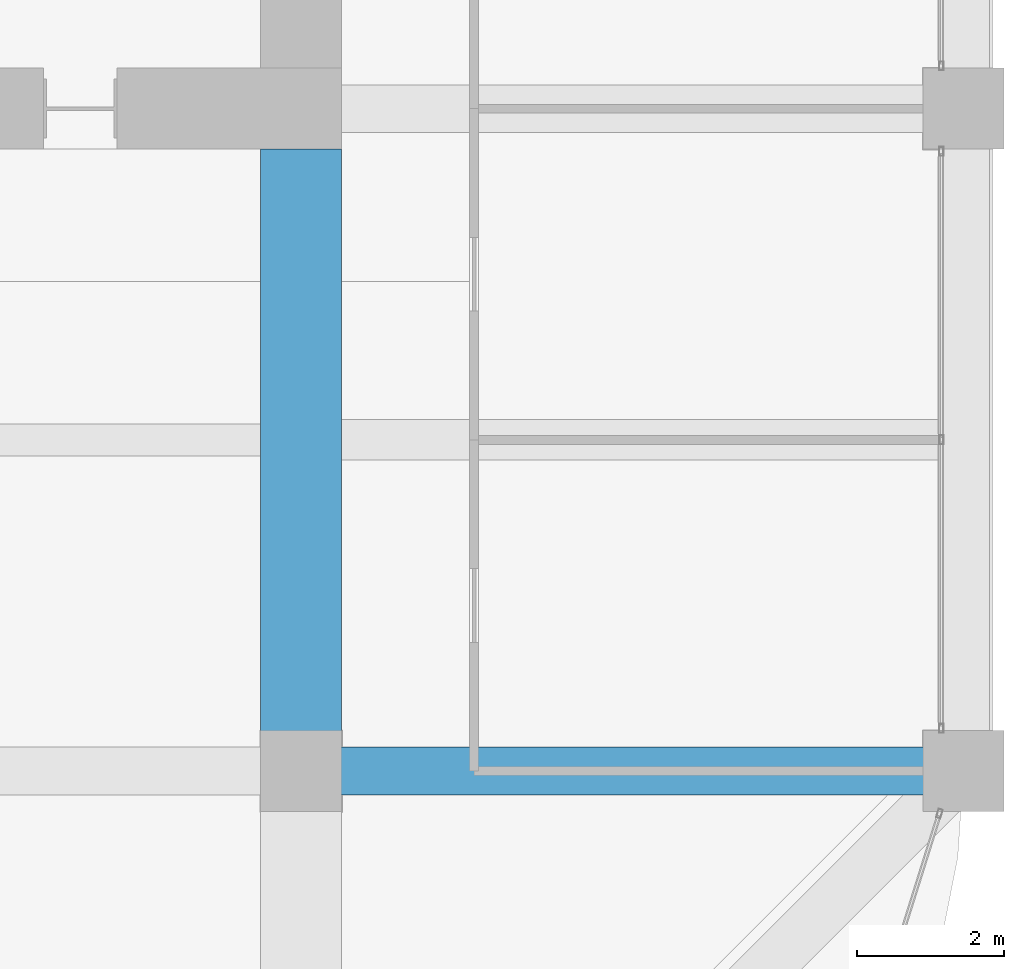
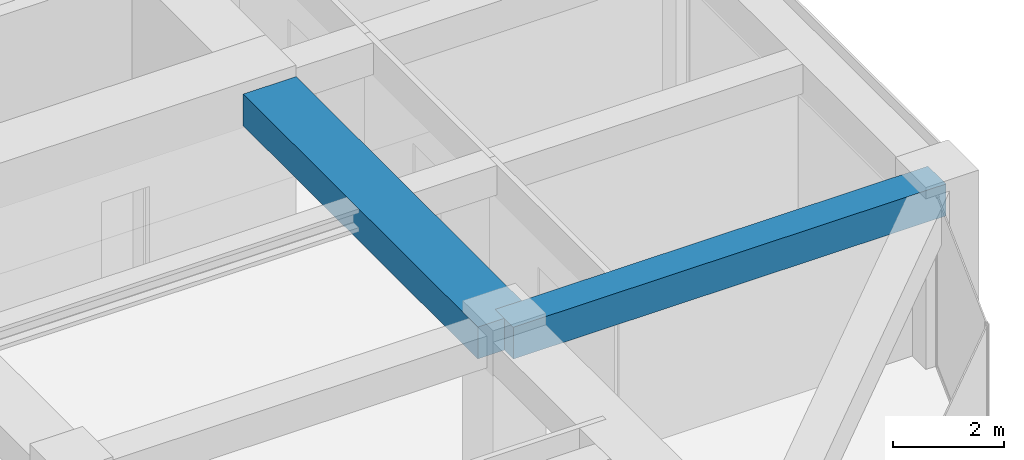
# One storey, part 21 of 44: 2 beams.
"""IFC4 building model written with IfcOpenShell, lengths in metres."""

from ifc_helpers import new_model, si_unit, direction, frame, origin, origin_2d, place, context, subcontext, project, spatial, rectangle, extrude, material, material_profile, profile_set, type_object, element, save


model = new_model("IFC4")

# Units and contexts
model_context = context("Model", 3, precision=1e-05, world=origin(), true_north=direction((0.0, 1.0)))
body_context = subcontext(model_context, "Body", "Model", "MODEL_VIEW")
ifc_project = project(units=[si_unit("LENGTHUNIT", "METRE"), si_unit("AREAUNIT", "SQUARE_METRE"), si_unit("VOLUMEUNIT", "CUBIC_METRE"), si_unit("PLANEANGLEUNIT", "RADIAN"), si_unit("MASSUNIT", "GRAM", prefix="KILO")], contexts=[model_context])

# Site, building, storey
site_placement = place(None, origin())
site = spatial("IfcSite", under=ifc_project, at=site_placement, CompositionType="ELEMENT")
building_placement = place(site_placement, origin())
building = spatial("IfcBuilding", under=site, at=building_placement, Name="Zorevar Civic Tower", CompositionType="ELEMENT")
storey_placement = place(building_placement, frame((0.0, 0.0, 259.39990234375)))
storey = spatial("IfcBuildingStorey", under=building, at=storey_placement, Name="L63", CompositionType="ELEMENT", Elevation=259.39990234375)

# Beams
ifc_material_1 = material(Name="Concrete C50/60", Category="concrete")
ifc_material_profile_1 = material_profile(ifc_material_1, rectangle(XDim=1.10009765625, YDim=0.699951171875, at=origin_2d()), Name="RC 1100x700")
ifc_profile_set_1 = profile_set([ifc_material_profile_1], Name="Concrete C50/60")
beam_type_1 = type_object("IfcBeamType", Name="Beam RC 1100x700", PredefinedType="BEAM", material=ifc_profile_set_1)
beam_1_placement = place(storey_placement, frame((45.0, 9.0, 3.400146484375), z_axis=(0.0, 1.0, 0.0), x_axis=(-1.0, 0.0, 0.0)))
element("IfcBeam", 1, at=beam_1_placement, inside=storey, type_object=beam_type_1, Name="Girder L64", PredefinedType="BEAM", context=body_context, shape_type="SweptSolid", body=[
    extrude(rectangle(XDim=1.10009765625, YDim=0.699951171875, at=origin_2d()), origin(), (0.0, 0.0, 1.0), 8.449951171875),
])
ifc_material_2 = material(Name="Concrete C50/60", Category="concrete")
ifc_material_profile_2 = material_profile(ifc_material_2, rectangle(XDim=0.64990234375, YDim=0.699951171875, at=origin_2d()), Name="RC 650x700")
ifc_profile_set_2 = profile_set([ifc_material_profile_2], Name="Concrete C50/60")
beam_type_2 = type_object("IfcBeamType", Name="Beam RC 650x700", PredefinedType="BEAM", material=ifc_profile_set_2)
beam_2_placement = place(storey_placement, frame((45.0, 9.0, 3.400146484375), z_axis=(1.0, 0.0, 0.0), x_axis=(0.0, 1.0, 0.0)))
element("IfcBeam", 2, at=beam_2_placement, inside=storey, type_object=beam_type_2, Name="Girder L64", PredefinedType="BEAM", context=body_context, shape_type="SweptSolid", body=[
    extrude(rectangle(XDim=0.64990234375, YDim=0.699951171875, at=origin_2d()), origin(), (0.0, 0.0, 1.0), 9.0),
])

save(model, "model.ifc")
